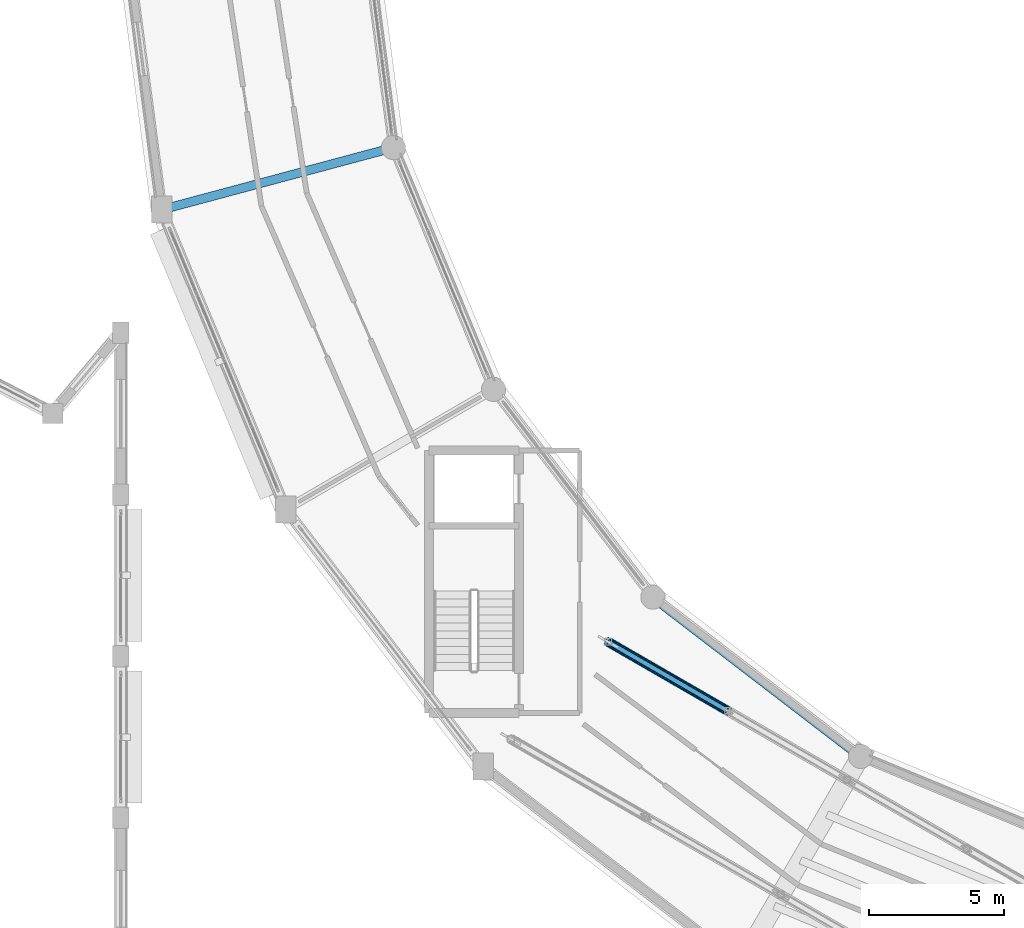
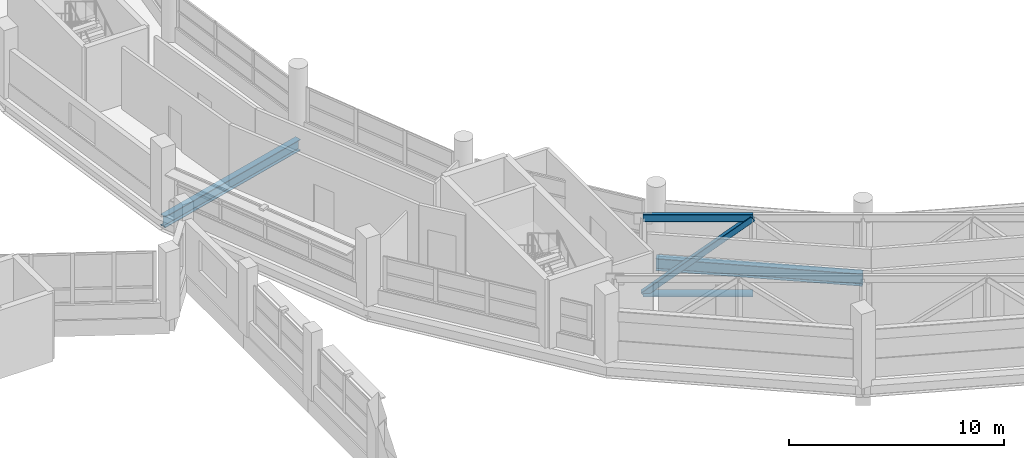
# One storey, part 24 of 121: 3 members, 2 beams.
"""IFC4 building model written with IfcOpenShell, lengths in metres."""

from ifc_helpers import new_model, si_unit, direction, frame, origin, origin_2d, place, context, subcontext, project, spatial, hollow_rectangle, hollow_circle, i_section, extrude, material, material_profile, profile_set, type_object, element, save


model = new_model("IFC4")

# Units and contexts
model_context = context("Model", 3, precision=1e-05, world=origin(), true_north=direction((0.0, 1.0)))
body_context = subcontext(model_context, "Body", "Model", "MODEL_VIEW")
ifc_project = project(units=[si_unit("LENGTHUNIT", "METRE"), si_unit("AREAUNIT", "SQUARE_METRE"), si_unit("VOLUMEUNIT", "CUBIC_METRE"), si_unit("PLANEANGLEUNIT", "RADIAN"), si_unit("MASSUNIT", "GRAM", prefix="KILO")], contexts=[model_context])

# Site, building, storey
site_placement = place(None, origin())
site = spatial("IfcSite", under=ifc_project, at=site_placement, CompositionType="ELEMENT")
building_placement = place(site_placement, origin())
building = spatial("IfcBuilding", under=site, at=building_placement, Name="Vespera Passage Community Centre", CompositionType="ELEMENT")
storey_placement = place(building_placement, frame((0.0, 0.0, 8.699951171875)))
storey = spatial("IfcBuildingStorey", under=building, at=storey_placement, Name="L02", CompositionType="ELEMENT", Elevation=8.699951171875)

# Member
ifc_material_1 = material(Name="Steel ASTM A500 Grade C", Category="steel")
ifc_material_profile_1 = material_profile(ifc_material_1, hollow_circle(Radius=0.177734375, WallThickness=0.014892578125, at=origin_2d()), Name="CHS356X15.9")
ifc_profile_set_1 = profile_set([ifc_material_profile_1], Name="Steel ASTM A500 Grade C")
member_type_1 = type_object("IfcMemberType", Name="BC-356", PredefinedType="CHORD", material=ifc_profile_set_1)
member_1_placement = place(storey_placement, frame((50.033935546875, 37.533935546875, -0.849853515625), z_axis=(0.86602115158, -0.500007364961, 0.0), x_axis=(0.500007364961, 0.86602115158, 0.0)))
element("IfcMember", 1, at=member_1_placement, inside=storey, type_object=member_type_1, Name="BC-356 Transfer Truss Chord TR2I.1", PredefinedType="CHORD", context=body_context, shape_type="SweptSolid", body=[
    extrude(hollow_circle(Radius=0.177734375, WallThickness=0.014892578125, at=origin_2d()), origin(), (0.0, 0.0, 1.0), 5.1181640625),
])

# Beams
ifc_material_2 = material(Name="Steel ASTM A992 Grade 50", Category="steel")
ifc_material_profile_2 = material_profile(ifc_material_2, i_section(OverallWidth=0.32763671875, OverallDepth=0.62841796875, WebThickness=0.0166015625, FlangeThickness=0.027587890625, FilletRadius=0.0126953125, at=origin_2d()), Name="W24X146")
ifc_profile_set_2 = profile_set([ifc_material_profile_2], Name="Steel ASTM A992 Grade 50")
beam_type_1 = type_object("IfcBeamType", Name="BM-G-W24X146", PredefinedType="BEAM", material=ifc_profile_set_2)
beam_1_placement = place(storey_placement, frame((42.067626953125, 55.871826171875, -0.654052734375), z_axis=(-0.9659278487, -0.258811497245, 0.0), x_axis=(0.258811497245, -0.9659278487, 0.0)))
element("IfcBeam", 2, at=beam_1_placement, inside=storey, type_object=beam_type_1, Name="V4 L02 Radial Girder 13", PredefinedType="BEAM", context=body_context, shape_type="SweptSolid", body=[
    extrude(i_section(OverallWidth=0.32763671875, OverallDepth=0.62841796875, WebThickness=0.0166015625, FlangeThickness=0.027587890625, FilletRadius=0.0126953125, at=origin_2d()), origin(), (0.0, 0.0, 1.0), 8.900146484375),
])
ifc_material_3 = material(Name="Steel ASTM A992 Grade 50", Category="steel")
ifc_material_profile_3 = material_profile(ifc_material_3, i_section(OverallWidth=0.3544921875, OverallDepth=0.695556640625, WebThickness=0.015380859375, FlangeThickness=0.024658203125, FilletRadius=0.01513671875, at=origin_2d()), Name="W27X146")
ifc_profile_set_3 = profile_set([ifc_material_profile_3], Name="Steel ASTM A992 Grade 50")
beam_type_2 = type_object("IfcBeamType", Name="BM-SP-W27X146E", PredefinedType="SPANDREL", material=ifc_profile_set_3)
beam_2_placement = place(storey_placement, frame((51.695556640625, 39.195556640625, -0.687744140625), z_axis=(0.793359869694, -0.60875291963, 0.0), x_axis=(0.60875291963, 0.793359869694, 0.0)))
element("IfcBeam", 3, at=beam_2_placement, inside=storey, type_object=beam_type_2, Name="V4 L02 Inner Spandrel 15", PredefinedType="SPANDREL", context=body_context, shape_type="SweptSolid", body=[
    extrude(i_section(OverallWidth=0.3544921875, OverallDepth=0.695556640625, WebThickness=0.015380859375, FlangeThickness=0.024658203125, FilletRadius=0.01513671875, at=origin_2d()), origin(), (0.0, 0.0, 1.0), 9.7109375),
])

# Members
ifc_material_4 = material(Name="Steel ASTM A500 Grade C", Category="steel")
ifc_material_profile_4 = material_profile(ifc_material_4, hollow_rectangle(XDim=0.203125, YDim=0.406494140625, WallThickness=0.014892578125, InnerFilletRadius=0.014892578125, OuterFilletRadius=0.029541015625, at=origin_2d()), Name="HSS406X203X15.9")
ifc_profile_set_4 = profile_set([ifc_material_profile_4], Name="Steel ASTM A500 Grade C")
member_type_2 = type_object("IfcMemberType", Name="TC-406", PredefinedType="CHORD", material=ifc_profile_set_4)
member_2_placement = place(storey_placement, frame((50.033935546875, 37.533935546875, 3.47998046875), z_axis=(0.86602115158, -0.500007364961, 0.0), x_axis=(0.500007364961, 0.86602115158, 0.0)))
element("IfcMember", 4, at=member_2_placement, inside=storey, type_object=member_type_2, Name="TC-406 Transfer Truss Chord TR2I.1", PredefinedType="CHORD", context=body_context, shape_type="SweptSolid", body=[
    extrude(hollow_rectangle(XDim=0.203125, YDim=0.406494140625, WallThickness=0.014892578125, InnerFilletRadius=0.014892578125, OuterFilletRadius=0.029541015625, at=origin_2d()), origin(), (0.0, 0.0, 1.0), 5.1181640625),
])
ifc_material_5 = material(Name="Steel ASTM A500 Grade C", Category="steel")
ifc_material_profile_5 = material_profile(ifc_material_5, hollow_rectangle(XDim=0.3046875, YDim=0.3046875, WallThickness=0.014892578125, InnerFilletRadius=0.014892578125, OuterFilletRadius=0.029541015625, at=origin_2d()), Name="HSS305X305X15.9")
ifc_profile_set_5 = profile_set([ifc_material_profile_5], Name="Steel ASTM A500 Grade C")
member_type_3 = type_object("IfcMemberType", Name="TD-305", PredefinedType="BRACE", material=ifc_profile_set_5)
member_3_placement = place(storey_placement, frame((50.033935546875, 37.533935546875, -0.849853515625), z_axis=(0.661163221442, -0.381730260929, 0.645867790266), x_axis=(0.500007364961, 0.86602115158, 0.0)))
element("IfcMember", 5, at=member_3_placement, inside=storey, type_object=member_type_3, Name="TD-305 Transfer Truss Diagonal TR2I.1", PredefinedType="BRACE", context=body_context, shape_type="SweptSolid", body=[
    extrude(hollow_rectangle(XDim=0.3046875, YDim=0.3046875, WallThickness=0.014892578125, InnerFilletRadius=0.014892578125, OuterFilletRadius=0.029541015625, at=origin_2d()), origin(), (0.0, 0.0, 1.0), 6.703857421875),
])

save(model, "model.ifc")
